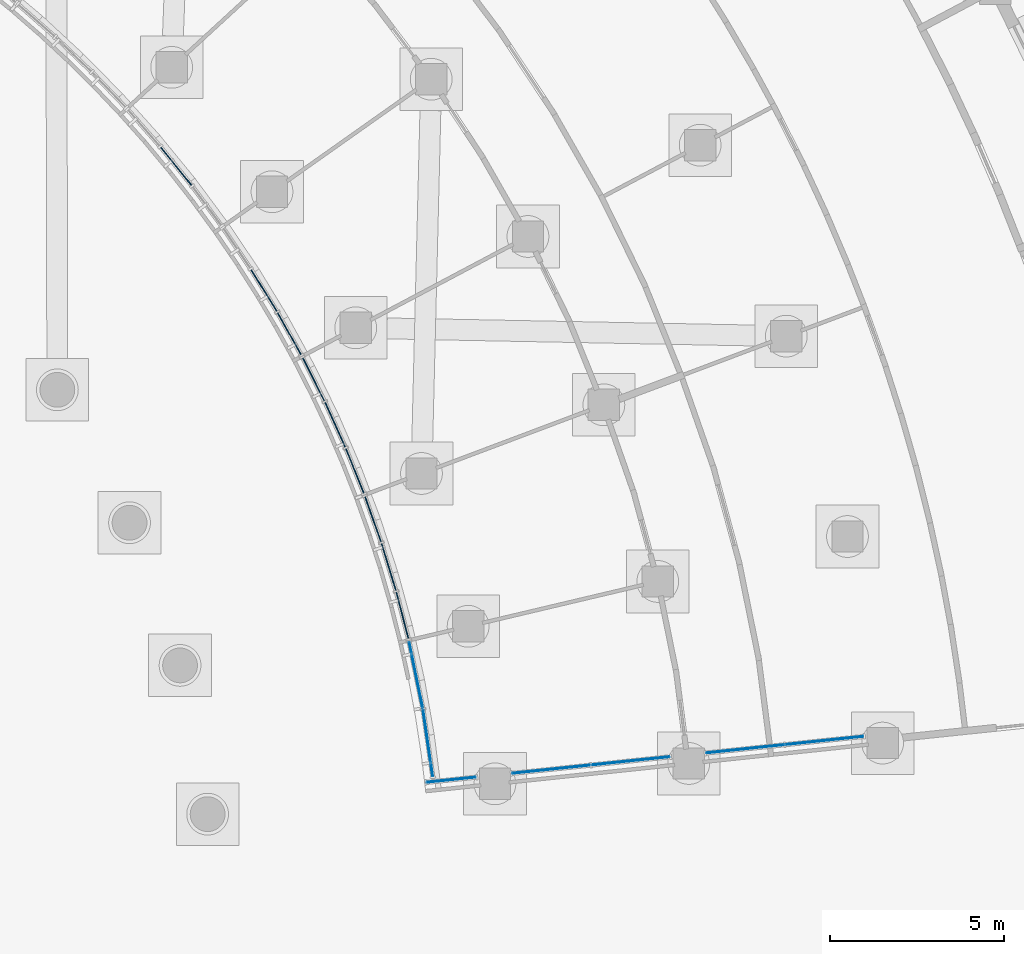
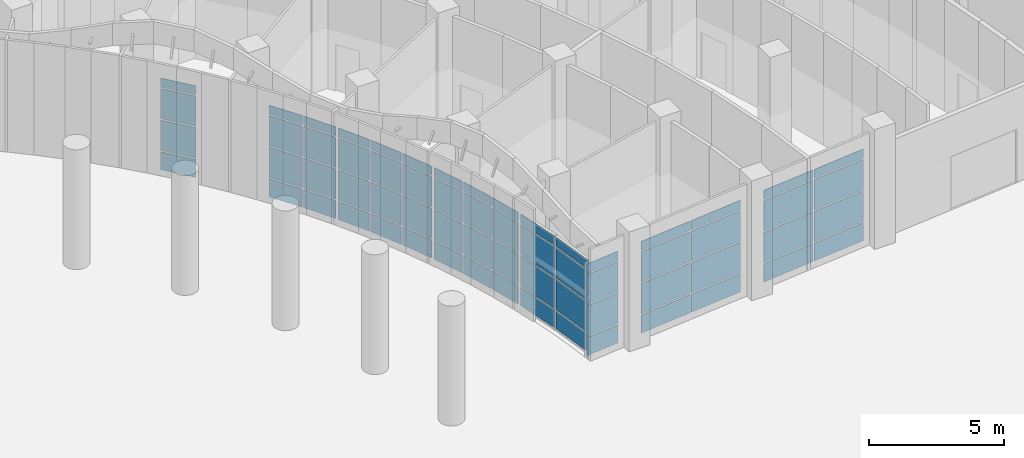
# One storey, part 48 of 146: 64 plates, 8 elements without a shape of their own.
"""IFC4 building model written with IfcOpenShell, lengths in metres."""

from ifc_helpers import new_model, si_unit, direction, frame, origin, origin_2d, place, context, subcontext, project, spatial, rectangle, extrude, material, layer, layer_set, type_object, element, aggregate, save


model = new_model("IFC4")

# Units and contexts
model_context = context("Model", 3, precision=1e-05, world=origin(), true_north=direction((0.0, 1.0)))
body_context = subcontext(model_context, "Body", "Model", "MODEL_VIEW")
ifc_project = project(units=[si_unit("LENGTHUNIT", "METRE"), si_unit("AREAUNIT", "SQUARE_METRE"), si_unit("VOLUMEUNIT", "CUBIC_METRE"), si_unit("PLANEANGLEUNIT", "RADIAN"), si_unit("MASSUNIT", "GRAM", prefix="KILO")], contexts=[model_context])

# Site, building, storey
site_placement = place(None, origin())
site = spatial("IfcSite", under=ifc_project, at=site_placement, CompositionType="ELEMENT")
building_placement = place(site_placement, origin())
building = spatial("IfcBuilding", under=site, at=building_placement, Name="Bougainvillea Quay General Hospital", CompositionType="ELEMENT")
storey_placement = place(building_placement, origin())
storey = spatial("IfcBuildingStorey", under=building, at=storey_placement, Name="L00", CompositionType="ELEMENT", Elevation=0.0)

# Curtain wall, plates
ifc_material_1 = material(Name="Aluminium curtain wall system, powder-coated glazed", Category="aluminium")
curtain_wall_type_1 = type_object("IfcCurtainWallType", Name="Unitised curtain wall CW-2100", PredefinedType="NOTDEFINED", material=ifc_material_1)
curtain_wall_1_placement = place(storey_placement, origin())
curtain_wall_1 = element("IfcCurtainWall", 1, at=curtain_wall_1_placement, inside=storey, type_object=curtain_wall_type_1, Name="CW-E04 a21b3", PredefinedType="NOTDEFINED")
ifc_material_2 = material(Name="Insulated aluminium spandrel panel, white", Category="aluminium")
ifc_layer_1 = layer(ifc_material_2, 0.028076171875)
ifc_layer_set_1 = layer_set([ifc_layer_1], Name="Insulated aluminium spandrel panel, white")
plate_type_1 = type_object("IfcPlateType", Name="Insulated spandrel panel white 28", PredefinedType="CURTAIN_PANEL", material=ifc_layer_set_1)
plate_1_placement = place(storey_placement, frame((135.845703125, 43.506591796875, 0.06005859375), z_axis=(0.0, 0.0, 1.0), x_axis=(0.62807171477, -0.778155460757, 0.0)))
plate_1 = element("IfcPlate", 2, at=plate_1_placement, type_object=plate_type_1, Name="CW-E04 spandrel panel 2.1", PredefinedType="CURTAIN_PANEL", context=body_context, shape_type="SweptSolid", body=[
    extrude(rectangle(XDim=1.39697265625, YDim=0.028076171875, at=origin_2d()), origin(), (0.0, 0.0, 1.0), 0.81005859375),
])
plate_2_placement = place(storey_placement, frame((135.845703125, 43.506591796875, 3.7802734375), z_axis=(0.0, 0.0, 1.0), x_axis=(0.62807171477, -0.778155460757, 0.0)))
plate_2 = element("IfcPlate", 3, at=plate_2_placement, type_object=plate_type_1, Name="CW-E04 spandrel panel 2.4", PredefinedType="CURTAIN_PANEL", context=body_context, shape_type="SweptSolid", body=[
    extrude(rectangle(XDim=1.39697265625, YDim=0.028076171875, at=origin_2d()), origin(), (0.0, 0.0, 1.0), 0.409912109375),
])

curtain_wall_2_placement = place(storey_placement, origin())
curtain_wall_2 = element("IfcCurtainWall", 4, at=curtain_wall_2_placement, inside=storey, type_object=curtain_wall_type_1, Name="CW-E05 a21b4", PredefinedType="NOTDEFINED")
plate_3_placement = place(storey_placement, frame((138.3662109375, 39.9404296875, 0.06005859375), z_axis=(0.0, 0.0, 1.0), x_axis=(0.523926442936, -0.851763513185, 0.0)))
plate_3 = element("IfcPlate", 5, at=plate_3_placement, type_object=plate_type_1, Name="CW-E05 spandrel panel 2.1", PredefinedType="CURTAIN_PANEL", context=body_context, shape_type="SweptSolid", body=[
    extrude(rectangle(XDim=1.39697265625, YDim=0.028076171875, at=origin_2d()), origin(), (0.0, 0.0, 1.0), 0.81005859375),
])
plate_4_placement = place(storey_placement, frame((138.3662109375, 39.9404296875, 3.7802734375), z_axis=(0.0, 0.0, 1.0), x_axis=(0.523926442936, -0.851763513185, 0.0)))
plate_4 = element("IfcPlate", 6, at=plate_4_placement, type_object=plate_type_1, Name="CW-E05 spandrel panel 2.4", PredefinedType="CURTAIN_PANEL", context=body_context, shape_type="SweptSolid", body=[
    extrude(rectangle(XDim=1.39697265625, YDim=0.028076171875, at=origin_2d()), origin(), (0.0, 0.0, 1.0), 0.409912109375),
])
plate_5_placement = place(storey_placement, frame((139.095458984375, 38.697021484375, 0.06005859375), z_axis=(0.0, 0.0, 1.0), x_axis=(0.487229803858, -0.873273793396, 0.0)))
plate_5 = element("IfcPlate", 7, at=plate_5_placement, type_object=plate_type_1, Name="CW-E05 spandrel panel 3.1", PredefinedType="CURTAIN_PANEL", context=body_context, shape_type="SweptSolid", body=[
    extrude(rectangle(XDim=1.366943359375, YDim=0.028076171875, at=origin_2d()), origin(), (0.0, 0.0, 1.0), 0.81005859375),
])
plate_6_placement = place(storey_placement, frame((139.095458984375, 38.697021484375, 3.7802734375), z_axis=(0.0, 0.0, 1.0), x_axis=(0.487229803858, -0.873273793396, 0.0)))
plate_6 = element("IfcPlate", 8, at=plate_6_placement, type_object=plate_type_1, Name="CW-E05 spandrel panel 3.4", PredefinedType="CURTAIN_PANEL", context=body_context, shape_type="SweptSolid", body=[
    extrude(rectangle(XDim=1.366943359375, YDim=0.028076171875, at=origin_2d()), origin(), (0.0, 0.0, 1.0), 0.409912109375),
])

curtain_wall_3_placement = place(storey_placement, origin())
curtain_wall_3 = element("IfcCurtainWall", 9, at=curtain_wall_3_placement, inside=storey, type_object=curtain_wall_type_1, Name="CW-E06 a21b5", PredefinedType="NOTDEFINED")
plate_7_placement = place(storey_placement, frame((139.7919921875, 37.383544921875, 0.06005859375), z_axis=(0.0, 0.0, 1.0), x_axis=(0.449651602597, -0.893204028362, 0.0)))
plate_7 = element("IfcPlate", 10, at=plate_7_placement, type_object=plate_type_1, Name="CW-E06 spandrel panel 1.1", PredefinedType="CURTAIN_PANEL", context=body_context, shape_type="SweptSolid", body=[
    extrude(rectangle(XDim=1.366943359375, YDim=0.028076171875, at=origin_2d()), origin(), (0.0, 0.0, 1.0), 0.81005859375),
])
plate_8_placement = place(storey_placement, frame((139.7919921875, 37.383544921875, 3.7802734375), z_axis=(0.0, 0.0, 1.0), x_axis=(0.449651602597, -0.893204028362, 0.0)))
plate_8 = element("IfcPlate", 11, at=plate_8_placement, type_object=plate_type_1, Name="CW-E06 spandrel panel 1.4", PredefinedType="CURTAIN_PANEL", context=body_context, shape_type="SweptSolid", body=[
    extrude(rectangle(XDim=1.366943359375, YDim=0.028076171875, at=origin_2d()), origin(), (0.0, 0.0, 1.0), 0.409912109375),
])
plate_9_placement = place(storey_placement, frame((140.412353515625, 36.08251953125, 0.06005859375), z_axis=(0.0, 0.0, 1.0), x_axis=(0.411259830755, -0.911518157585, 0.0)))
plate_9 = element("IfcPlate", 12, at=plate_9_placement, type_object=plate_type_1, Name="CW-E06 spandrel panel 2.1", PredefinedType="CURTAIN_PANEL", context=body_context, shape_type="SweptSolid", body=[
    extrude(rectangle(XDim=1.39697265625, YDim=0.028076171875, at=origin_2d()), origin(), (0.0, 0.0, 1.0), 0.81005859375),
])
plate_10_placement = place(storey_placement, frame((140.412353515625, 36.08251953125, 3.7802734375), z_axis=(0.0, 0.0, 1.0), x_axis=(0.411259830755, -0.911518157585, 0.0)))
plate_10 = element("IfcPlate", 13, at=plate_10_placement, type_object=plate_type_1, Name="CW-E06 spandrel panel 2.4", PredefinedType="CURTAIN_PANEL", context=body_context, shape_type="SweptSolid", body=[
    extrude(rectangle(XDim=1.39697265625, YDim=0.028076171875, at=origin_2d()), origin(), (0.0, 0.0, 1.0), 0.409912109375),
])
plate_11_placement = place(storey_placement, frame((140.9775390625, 34.75634765625, 0.06005859375), z_axis=(0.0, 0.0, 1.0), x_axis=(0.372123951912, -0.92818304467, 0.0)))
plate_11 = element("IfcPlate", 14, at=plate_11_placement, type_object=plate_type_1, Name="CW-E06 spandrel panel 3.1", PredefinedType="CURTAIN_PANEL", context=body_context, shape_type="SweptSolid", body=[
    extrude(rectangle(XDim=1.366943359375, YDim=0.028076171875, at=origin_2d()), origin(), (0.0, 0.0, 1.0), 0.81005859375),
])
plate_12_placement = place(storey_placement, frame((140.9775390625, 34.75634765625, 3.7802734375), z_axis=(0.0, 0.0, 1.0), x_axis=(0.372123951912, -0.92818304467, 0.0)))
plate_12 = element("IfcPlate", 15, at=plate_12_placement, type_object=plate_type_1, Name="CW-E06 spandrel panel 3.4", PredefinedType="CURTAIN_PANEL", context=body_context, shape_type="SweptSolid", body=[
    extrude(rectangle(XDim=1.366943359375, YDim=0.028076171875, at=origin_2d()), origin(), (0.0, 0.0, 1.0), 0.409912109375),
])

curtain_wall_4_placement = place(storey_placement, origin())
curtain_wall_4 = element("IfcCurtainWall", 16, at=curtain_wall_4_placement, inside=storey, type_object=curtain_wall_type_1, Name="CW-E07 a21b6", PredefinedType="NOTDEFINED")
plate_13_placement = place(storey_placement, frame((141.501220703125, 33.364990234375, 0.06005859375), z_axis=(0.0, 0.0, 1.0), x_axis=(0.332314775986, -0.943168537252, 0.0)))
plate_13 = element("IfcPlate", 17, at=plate_13_placement, type_object=plate_type_1, Name="CW-E07 spandrel panel 1.1", PredefinedType="CURTAIN_PANEL", context=body_context, shape_type="SweptSolid", body=[
    extrude(rectangle(XDim=1.366943359375, YDim=0.028076171875, at=origin_2d()), origin(), (0.0, 0.0, 1.0), 0.81005859375),
])
plate_14_placement = place(storey_placement, frame((141.501220703125, 33.364990234375, 3.7802734375), z_axis=(0.0, 0.0, 1.0), x_axis=(0.332314775986, -0.943168537252, 0.0)))
plate_14 = element("IfcPlate", 18, at=plate_14_placement, type_object=plate_type_1, Name="CW-E07 spandrel panel 1.4", PredefinedType="CURTAIN_PANEL", context=body_context, shape_type="SweptSolid", body=[
    extrude(rectangle(XDim=1.366943359375, YDim=0.028076171875, at=origin_2d()), origin(), (0.0, 0.0, 1.0), 0.409912109375),
])
plate_15_placement = place(storey_placement, frame((141.950927734375, 31.995361328125, 0.06005859375), z_axis=(0.0, 0.0, 1.0), x_axis=(0.291904331163, -0.956447521534, 0.0)))
plate_15 = element("IfcPlate", 19, at=plate_15_placement, type_object=plate_type_1, Name="CW-E07 spandrel panel 2.1", PredefinedType="CURTAIN_PANEL", context=body_context, shape_type="SweptSolid", body=[
    extrude(rectangle(XDim=1.39697265625, YDim=0.028076171875, at=origin_2d()), origin(), (0.0, 0.0, 1.0), 0.81005859375),
])
plate_16_placement = place(storey_placement, frame((141.950927734375, 31.995361328125, 3.7802734375), z_axis=(0.0, 0.0, 1.0), x_axis=(0.291904331163, -0.956447521534, 0.0)))
plate_16 = element("IfcPlate", 20, at=plate_16_placement, type_object=plate_type_1, Name="CW-E07 spandrel panel 2.4", PredefinedType="CURTAIN_PANEL", context=body_context, shape_type="SweptSolid", body=[
    extrude(rectangle(XDim=1.39697265625, YDim=0.028076171875, at=origin_2d()), origin(), (0.0, 0.0, 1.0), 0.409912109375),
])
plate_17_placement = place(storey_placement, frame((142.342529296875, 30.608154296875, 0.06005859375), z_axis=(0.0, 0.0, 1.0), x_axis=(0.250965733479, -0.967995971386, 0.0)))
plate_17 = element("IfcPlate", 21, at=plate_17_placement, type_object=plate_type_1, Name="CW-E07 spandrel panel 3.1", PredefinedType="CURTAIN_PANEL", context=body_context, shape_type="SweptSolid", body=[
    extrude(rectangle(XDim=1.366943359375, YDim=0.028076171875, at=origin_2d()), origin(), (0.0, 0.0, 1.0), 0.81005859375),
])
plate_18_placement = place(storey_placement, frame((142.342529296875, 30.608154296875, 3.7802734375), z_axis=(0.0, 0.0, 1.0), x_axis=(0.250965733479, -0.967995971386, 0.0)))
plate_18 = element("IfcPlate", 22, at=plate_18_placement, type_object=plate_type_1, Name="CW-E07 spandrel panel 3.4", PredefinedType="CURTAIN_PANEL", context=body_context, shape_type="SweptSolid", body=[
    extrude(rectangle(XDim=1.366943359375, YDim=0.028076171875, at=origin_2d()), origin(), (0.0, 0.0, 1.0), 0.409912109375),
])

curtain_wall_5_placement = place(storey_placement, origin())
curtain_wall_5 = element("IfcCurtainWall", 23, at=curtain_wall_5_placement, inside=storey, type_object=curtain_wall_type_1, Name="CW-E08 a21b7", PredefinedType="NOTDEFINED")
plate_19_placement = place(storey_placement, frame((142.7353515625, 28.886962890625, 0.06005859375), z_axis=(0.0, 0.0, 1.0), x_axis=(0.201594935096, -0.979468979674, 0.0)))
plate_19 = element("IfcPlate", 24, at=plate_19_placement, type_object=plate_type_1, Name="CW-E08 spandrel panel 1.1", PredefinedType="CURTAIN_PANEL", context=body_context, shape_type="SweptSolid", body=[
    extrude(rectangle(XDim=1.925048828125, YDim=0.028076171875, at=origin_2d()), origin(), (0.0, 0.0, 1.0), 0.81005859375),
])
plate_20_placement = place(storey_placement, frame((142.7353515625, 28.886962890625, 3.7802734375), z_axis=(0.0, 0.0, 1.0), x_axis=(0.201594935096, -0.979468979674, 0.0)))
plate_20 = element("IfcPlate", 25, at=plate_20_placement, type_object=plate_type_1, Name="CW-E08 spandrel panel 1.4", PredefinedType="CURTAIN_PANEL", context=body_context, shape_type="SweptSolid", body=[
    extrude(rectangle(XDim=1.925048828125, YDim=0.028076171875, at=origin_2d()), origin(), (0.0, 0.0, 1.0), 0.409912109375),
])
plate_21_placement = place(storey_placement, frame((143.077880859375, 26.932373046875, 0.06005859375), z_axis=(0.0, 0.0, 1.0), x_axis=(0.143643342173, -0.989629521715, 0.0)))
plate_21 = element("IfcPlate", 26, at=plate_21_placement, type_object=plate_type_1, Name="CW-E08 spandrel panel 2.1", PredefinedType="CURTAIN_PANEL", context=body_context, shape_type="SweptSolid", body=[
    extrude(rectangle(XDim=1.925048828125, YDim=0.028076171875, at=origin_2d()), origin(), (0.0, 0.0, 1.0), 0.81005859375),
])
plate_22_placement = place(storey_placement, frame((143.077880859375, 26.932373046875, 3.7802734375), z_axis=(0.0, 0.0, 1.0), x_axis=(0.143643342173, -0.989629521715, 0.0)))
plate_22 = element("IfcPlate", 27, at=plate_22_placement, type_object=plate_type_1, Name="CW-E08 spandrel panel 2.4", PredefinedType="CURTAIN_PANEL", context=body_context, shape_type="SweptSolid", body=[
    extrude(rectangle(XDim=1.925048828125, YDim=0.028076171875, at=origin_2d()), origin(), (0.0, 0.0, 1.0), 0.409912109375),
])

curtain_wall_type_2 = type_object("IfcCurtainWallType", Name="Unitised curtain wall CW-1531", PredefinedType="NOTDEFINED", material=ifc_material_1)
curtain_wall_6_placement = place(storey_placement, origin())
curtain_wall_6 = element("IfcCurtainWall", 28, at=curtain_wall_6_placement, inside=storey, type_object=curtain_wall_type_2, Name="CW-AE 00", PredefinedType="NOTDEFINED")
plate_23_placement = place(storey_placement, frame((143.748779296875, 25.882568359375, 0.06005859375), z_axis=(0.0, 0.0, 1.0), x_axis=(0.9945220309, 0.104527173765, 0.0)))
plate_23 = element("IfcPlate", 29, at=plate_23_placement, type_object=plate_type_1, Name="CW-AE spandrel panel 1.1", PredefinedType="CURTAIN_PANEL", context=body_context, shape_type="SweptSolid", body=[
    extrude(rectangle(XDim=1.41015625, YDim=0.028076171875, at=origin_2d()), origin(), (0.0, 0.0, 1.0), 0.81005859375),
])
plate_24_placement = place(storey_placement, frame((143.748779296875, 25.882568359375, 3.7802734375), z_axis=(0.0, 0.0, 1.0), x_axis=(0.9945220309, 0.104527173765, 0.0)))
plate_24 = element("IfcPlate", 30, at=plate_24_placement, type_object=plate_type_1, Name="CW-AE spandrel panel 1.4", PredefinedType="CURTAIN_PANEL", context=body_context, shape_type="SweptSolid", body=[
    extrude(rectangle(XDim=1.41015625, YDim=0.028076171875, at=origin_2d()), origin(), (0.0, 0.0, 1.0), 0.409912109375),
])

curtain_wall_type_3 = type_object("IfcCurtainWallType", Name="Unitised curtain wall CW-2330", PredefinedType="NOTDEFINED", material=ifc_material_1)
curtain_wall_7_placement = place(storey_placement, origin())
curtain_wall_7 = element("IfcCurtainWall", 31, at=curtain_wall_7_placement, inside=storey, type_object=curtain_wall_type_3, Name="CW-AE 01", PredefinedType="NOTDEFINED")
plate_25_placement = place(storey_placement, frame((146.6181640625, 26.18408203125, 0.06005859375), z_axis=(0.0, 0.0, 1.0), x_axis=(0.9945220309, 0.104527173765, 0.0)))
plate_25 = element("IfcPlate", 32, at=plate_25_placement, type_object=plate_type_1, Name="CW-AE spandrel panel 1.1", PredefinedType="CURTAIN_PANEL", context=body_context, shape_type="SweptSolid", body=[
    extrude(rectangle(XDim=2.23974609375, YDim=0.028076171875, at=origin_2d()), origin(), (0.0, 0.0, 1.0), 0.81005859375),
])
plate_26_placement = place(storey_placement, frame((146.6181640625, 26.18408203125, 3.7802734375), z_axis=(0.0, 0.0, 1.0), x_axis=(0.9945220309, 0.104527173765, 0.0)))
plate_26 = element("IfcPlate", 33, at=plate_26_placement, type_object=plate_type_1, Name="CW-AE spandrel panel 1.4", PredefinedType="CURTAIN_PANEL", context=body_context, shape_type="SweptSolid", body=[
    extrude(rectangle(XDim=2.23974609375, YDim=0.028076171875, at=origin_2d()), origin(), (0.0, 0.0, 1.0), 0.409912109375),
])
plate_27_placement = place(storey_placement, frame((148.9052734375, 26.424560546875, 0.06005859375), z_axis=(0.0, 0.0, 1.0), x_axis=(0.9945220309, 0.104527173765, 0.0)))
plate_27 = element("IfcPlate", 34, at=plate_27_placement, type_object=plate_type_1, Name="CW-AE spandrel panel 2.1", PredefinedType="CURTAIN_PANEL", context=body_context, shape_type="SweptSolid", body=[
    extrude(rectangle(XDim=2.23974609375, YDim=0.028076171875, at=origin_2d()), origin(), (0.0, 0.0, 1.0), 0.81005859375),
])
plate_28_placement = place(storey_placement, frame((148.9052734375, 26.424560546875, 3.7802734375), z_axis=(0.0, 0.0, 1.0), x_axis=(0.9945220309, 0.104527173765, 0.0)))
plate_28 = element("IfcPlate", 35, at=plate_28_placement, type_object=plate_type_1, Name="CW-AE spandrel panel 2.4", PredefinedType="CURTAIN_PANEL", context=body_context, shape_type="SweptSolid", body=[
    extrude(rectangle(XDim=2.23974609375, YDim=0.028076171875, at=origin_2d()), origin(), (0.0, 0.0, 1.0), 0.409912109375),
])

curtain_wall_8_placement = place(storey_placement, origin())
curtain_wall_8 = element("IfcCurtainWall", 36, at=curtain_wall_8_placement, inside=storey, type_object=curtain_wall_type_3, Name="CW-AE 02", PredefinedType="NOTDEFINED")
plate_29_placement = place(storey_placement, frame((152.18701171875, 26.76953125, 0.06005859375), z_axis=(0.0, 0.0, 1.0), x_axis=(0.9945220309, 0.104527173765, 0.0)))
plate_29 = element("IfcPlate", 37, at=plate_29_placement, type_object=plate_type_1, Name="CW-AE spandrel panel 1.1", PredefinedType="CURTAIN_PANEL", context=body_context, shape_type="SweptSolid", body=[
    extrude(rectangle(XDim=2.239990234375, YDim=0.028076171875, at=origin_2d()), origin(), (0.0, 0.0, 1.0), 0.81005859375),
])
plate_30_placement = place(storey_placement, frame((152.18701171875, 26.76953125, 3.7802734375), z_axis=(0.0, 0.0, 1.0), x_axis=(0.9945220309, 0.104527173765, 0.0)))
plate_30 = element("IfcPlate", 38, at=plate_30_placement, type_object=plate_type_1, Name="CW-AE spandrel panel 1.4", PredefinedType="CURTAIN_PANEL", context=body_context, shape_type="SweptSolid", body=[
    extrude(rectangle(XDim=2.239990234375, YDim=0.028076171875, at=origin_2d()), origin(), (0.0, 0.0, 1.0), 0.409912109375),
])
plate_31_placement = place(storey_placement, frame((154.474365234375, 27.010009765625, 0.06005859375), z_axis=(0.0, 0.0, 1.0), x_axis=(0.9945220309, 0.104527173765, 0.0)))
plate_31 = element("IfcPlate", 39, at=plate_31_placement, type_object=plate_type_1, Name="CW-AE spandrel panel 2.1", PredefinedType="CURTAIN_PANEL", context=body_context, shape_type="SweptSolid", body=[
    extrude(rectangle(XDim=2.239990234375, YDim=0.028076171875, at=origin_2d()), origin(), (0.0, 0.0, 1.0), 0.81005859375),
])
plate_32_placement = place(storey_placement, frame((154.474365234375, 27.010009765625, 3.7802734375), z_axis=(0.0, 0.0, 1.0), x_axis=(0.9945220309, 0.104527173765, 0.0)))
plate_32 = element("IfcPlate", 40, at=plate_32_placement, type_object=plate_type_1, Name="CW-AE spandrel panel 2.4", PredefinedType="CURTAIN_PANEL", context=body_context, shape_type="SweptSolid", body=[
    extrude(rectangle(XDim=2.239990234375, YDim=0.028076171875, at=origin_2d()), origin(), (0.0, 0.0, 1.0), 0.409912109375),
])

# Plate
ifc_material_3 = material(Name="Low-e laminated glass, solar control", Category="glass")
ifc_layer_2 = layer(ifc_material_3, 0.028076171875)
ifc_layer_set_2 = layer_set([ifc_layer_2], Name="Low-e laminated glass, solar control")
plate_type_2 = type_object("IfcPlateType", Name="Low-e laminated vision glass 28", PredefinedType="CURTAIN_PANEL", material=ifc_layer_set_2)
plate_33_placement = place(storey_placement, frame((135.845703125, 43.506591796875, 0.93017578125), z_axis=(0.0, 0.0, 1.0), x_axis=(0.62807171477, -0.778155460757, 0.0)))
plate_33 = element("IfcPlate", 41, at=plate_33_placement, type_object=plate_type_2, Name="CW-E04 vision glass panel 2.2", PredefinedType="CURTAIN_PANEL", context=body_context, shape_type="SweptSolid", body=[
    extrude(rectangle(XDim=1.39697265625, YDim=0.028076171875, at=origin_2d()), origin(), (0.0, 0.0, 1.0), 1.364990234375),
])

plate_34_placement = place(storey_placement, frame((135.845703125, 43.506591796875, 2.35498046875), z_axis=(0.0, 0.0, 1.0), x_axis=(0.62807171477, -0.778155460757, 0.0)))
plate_34 = element("IfcPlate", 42, at=plate_34_placement, type_object=plate_type_2, Name="CW-E04 vision glass panel 2.3", PredefinedType="CURTAIN_PANEL", context=body_context, shape_type="SweptSolid", body=[
    extrude(rectangle(XDim=1.39697265625, YDim=0.028076171875, at=origin_2d()), origin(), (0.0, 0.0, 1.0), 1.364990234375),
])

aggregate(curtain_wall_1, [plate_1, plate_33, plate_34, plate_2])

plate_35_placement = place(storey_placement, frame((138.3662109375, 39.9404296875, 0.93017578125), z_axis=(0.0, 0.0, 1.0), x_axis=(0.523926442936, -0.851763513185, 0.0)))
plate_35 = element("IfcPlate", 43, at=plate_35_placement, type_object=plate_type_2, Name="CW-E05 vision glass panel 2.2", PredefinedType="CURTAIN_PANEL", context=body_context, shape_type="SweptSolid", body=[
    extrude(rectangle(XDim=1.39697265625, YDim=0.028076171875, at=origin_2d()), origin(), (0.0, 0.0, 1.0), 1.364990234375),
])

plate_36_placement = place(storey_placement, frame((138.3662109375, 39.9404296875, 2.35498046875), z_axis=(0.0, 0.0, 1.0), x_axis=(0.523926442936, -0.851763513185, 0.0)))
plate_36 = element("IfcPlate", 44, at=plate_36_placement, type_object=plate_type_2, Name="CW-E05 vision glass panel 2.3", PredefinedType="CURTAIN_PANEL", context=body_context, shape_type="SweptSolid", body=[
    extrude(rectangle(XDim=1.39697265625, YDim=0.028076171875, at=origin_2d()), origin(), (0.0, 0.0, 1.0), 1.364990234375),
])

plate_37_placement = place(storey_placement, frame((139.095458984375, 38.697021484375, 0.93017578125), z_axis=(0.0, 0.0, 1.0), x_axis=(0.487229803858, -0.873273793396, 0.0)))
plate_37 = element("IfcPlate", 45, at=plate_37_placement, type_object=plate_type_2, Name="CW-E05 vision glass panel 3.2", PredefinedType="CURTAIN_PANEL", context=body_context, shape_type="SweptSolid", body=[
    extrude(rectangle(XDim=1.366943359375, YDim=0.028076171875, at=origin_2d()), origin(), (0.0, 0.0, 1.0), 1.364990234375),
])

plate_38_placement = place(storey_placement, frame((139.095458984375, 38.697021484375, 2.35498046875), z_axis=(0.0, 0.0, 1.0), x_axis=(0.487229803858, -0.873273793396, 0.0)))
plate_38 = element("IfcPlate", 46, at=plate_38_placement, type_object=plate_type_2, Name="CW-E05 vision glass panel 3.3", PredefinedType="CURTAIN_PANEL", context=body_context, shape_type="SweptSolid", body=[
    extrude(rectangle(XDim=1.366943359375, YDim=0.028076171875, at=origin_2d()), origin(), (0.0, 0.0, 1.0), 1.364990234375),
])

aggregate(curtain_wall_2, [plate_3, plate_35, plate_36, plate_4, plate_5, plate_37, plate_38, plate_6])

plate_39_placement = place(storey_placement, frame((139.7919921875, 37.383544921875, 0.93017578125), z_axis=(0.0, 0.0, 1.0), x_axis=(0.449651602597, -0.893204028362, 0.0)))
plate_39 = element("IfcPlate", 47, at=plate_39_placement, type_object=plate_type_2, Name="CW-E06 vision glass panel 1.2", PredefinedType="CURTAIN_PANEL", context=body_context, shape_type="SweptSolid", body=[
    extrude(rectangle(XDim=1.366943359375, YDim=0.028076171875, at=origin_2d()), origin(), (0.0, 0.0, 1.0), 1.364990234375),
])

plate_40_placement = place(storey_placement, frame((139.7919921875, 37.383544921875, 2.35498046875), z_axis=(0.0, 0.0, 1.0), x_axis=(0.449651602597, -0.893204028362, 0.0)))
plate_40 = element("IfcPlate", 48, at=plate_40_placement, type_object=plate_type_2, Name="CW-E06 vision glass panel 1.3", PredefinedType="CURTAIN_PANEL", context=body_context, shape_type="SweptSolid", body=[
    extrude(rectangle(XDim=1.366943359375, YDim=0.028076171875, at=origin_2d()), origin(), (0.0, 0.0, 1.0), 1.364990234375),
])

plate_41_placement = place(storey_placement, frame((140.412353515625, 36.08251953125, 0.93017578125), z_axis=(0.0, 0.0, 1.0), x_axis=(0.411259830755, -0.911518157585, 0.0)))
plate_41 = element("IfcPlate", 49, at=plate_41_placement, type_object=plate_type_2, Name="CW-E06 vision glass panel 2.2", PredefinedType="CURTAIN_PANEL", context=body_context, shape_type="SweptSolid", body=[
    extrude(rectangle(XDim=1.39697265625, YDim=0.028076171875, at=origin_2d()), origin(), (0.0, 0.0, 1.0), 1.364990234375),
])

plate_42_placement = place(storey_placement, frame((140.412353515625, 36.08251953125, 2.35498046875), z_axis=(0.0, 0.0, 1.0), x_axis=(0.411259830755, -0.911518157585, 0.0)))
plate_42 = element("IfcPlate", 50, at=plate_42_placement, type_object=plate_type_2, Name="CW-E06 vision glass panel 2.3", PredefinedType="CURTAIN_PANEL", context=body_context, shape_type="SweptSolid", body=[
    extrude(rectangle(XDim=1.39697265625, YDim=0.028076171875, at=origin_2d()), origin(), (0.0, 0.0, 1.0), 1.364990234375),
])

plate_43_placement = place(storey_placement, frame((140.9775390625, 34.75634765625, 0.93017578125), z_axis=(0.0, 0.0, 1.0), x_axis=(0.372123951912, -0.92818304467, 0.0)))
plate_43 = element("IfcPlate", 51, at=plate_43_placement, type_object=plate_type_2, Name="CW-E06 vision glass panel 3.2", PredefinedType="CURTAIN_PANEL", context=body_context, shape_type="SweptSolid", body=[
    extrude(rectangle(XDim=1.366943359375, YDim=0.028076171875, at=origin_2d()), origin(), (0.0, 0.0, 1.0), 1.364990234375),
])

plate_44_placement = place(storey_placement, frame((140.9775390625, 34.75634765625, 2.35498046875), z_axis=(0.0, 0.0, 1.0), x_axis=(0.372123951912, -0.92818304467, 0.0)))
plate_44 = element("IfcPlate", 52, at=plate_44_placement, type_object=plate_type_2, Name="CW-E06 vision glass panel 3.3", PredefinedType="CURTAIN_PANEL", context=body_context, shape_type="SweptSolid", body=[
    extrude(rectangle(XDim=1.366943359375, YDim=0.028076171875, at=origin_2d()), origin(), (0.0, 0.0, 1.0), 1.364990234375),
])

aggregate(curtain_wall_3, [plate_7, plate_39, plate_40, plate_8, plate_9, plate_41, plate_42, plate_10, plate_11, plate_43, plate_44, plate_12])

plate_45_placement = place(storey_placement, frame((141.501220703125, 33.364990234375, 0.93017578125), z_axis=(0.0, 0.0, 1.0), x_axis=(0.332314775986, -0.943168537252, 0.0)))
plate_45 = element("IfcPlate", 53, at=plate_45_placement, type_object=plate_type_2, Name="CW-E07 vision glass panel 1.2", PredefinedType="CURTAIN_PANEL", context=body_context, shape_type="SweptSolid", body=[
    extrude(rectangle(XDim=1.366943359375, YDim=0.028076171875, at=origin_2d()), origin(), (0.0, 0.0, 1.0), 1.364990234375),
])

plate_46_placement = place(storey_placement, frame((141.501220703125, 33.364990234375, 2.35498046875), z_axis=(0.0, 0.0, 1.0), x_axis=(0.332314775986, -0.943168537252, 0.0)))
plate_46 = element("IfcPlate", 54, at=plate_46_placement, type_object=plate_type_2, Name="CW-E07 vision glass panel 1.3", PredefinedType="CURTAIN_PANEL", context=body_context, shape_type="SweptSolid", body=[
    extrude(rectangle(XDim=1.366943359375, YDim=0.028076171875, at=origin_2d()), origin(), (0.0, 0.0, 1.0), 1.364990234375),
])

plate_47_placement = place(storey_placement, frame((141.950927734375, 31.995361328125, 0.93017578125), z_axis=(0.0, 0.0, 1.0), x_axis=(0.291904331163, -0.956447521534, 0.0)))
plate_47 = element("IfcPlate", 55, at=plate_47_placement, type_object=plate_type_2, Name="CW-E07 vision glass panel 2.2", PredefinedType="CURTAIN_PANEL", context=body_context, shape_type="SweptSolid", body=[
    extrude(rectangle(XDim=1.39697265625, YDim=0.028076171875, at=origin_2d()), origin(), (0.0, 0.0, 1.0), 1.364990234375),
])

plate_48_placement = place(storey_placement, frame((141.950927734375, 31.995361328125, 2.35498046875), z_axis=(0.0, 0.0, 1.0), x_axis=(0.291904331163, -0.956447521534, 0.0)))
plate_48 = element("IfcPlate", 56, at=plate_48_placement, type_object=plate_type_2, Name="CW-E07 vision glass panel 2.3", PredefinedType="CURTAIN_PANEL", context=body_context, shape_type="SweptSolid", body=[
    extrude(rectangle(XDim=1.39697265625, YDim=0.028076171875, at=origin_2d()), origin(), (0.0, 0.0, 1.0), 1.364990234375),
])

plate_49_placement = place(storey_placement, frame((142.342529296875, 30.608154296875, 0.93017578125), z_axis=(0.0, 0.0, 1.0), x_axis=(0.250965733479, -0.967995971386, 0.0)))
plate_49 = element("IfcPlate", 57, at=plate_49_placement, type_object=plate_type_2, Name="CW-E07 vision glass panel 3.2", PredefinedType="CURTAIN_PANEL", context=body_context, shape_type="SweptSolid", body=[
    extrude(rectangle(XDim=1.366943359375, YDim=0.028076171875, at=origin_2d()), origin(), (0.0, 0.0, 1.0), 1.364990234375),
])

plate_50_placement = place(storey_placement, frame((142.342529296875, 30.608154296875, 2.35498046875), z_axis=(0.0, 0.0, 1.0), x_axis=(0.250965733479, -0.967995971386, 0.0)))
plate_50 = element("IfcPlate", 58, at=plate_50_placement, type_object=plate_type_2, Name="CW-E07 vision glass panel 3.3", PredefinedType="CURTAIN_PANEL", context=body_context, shape_type="SweptSolid", body=[
    extrude(rectangle(XDim=1.366943359375, YDim=0.028076171875, at=origin_2d()), origin(), (0.0, 0.0, 1.0), 1.364990234375),
])

aggregate(curtain_wall_4, [plate_13, plate_45, plate_46, plate_14, plate_15, plate_47, plate_48, plate_16, plate_17, plate_49, plate_50, plate_18])

plate_51_placement = place(storey_placement, frame((142.7353515625, 28.886962890625, 0.93017578125), z_axis=(0.0, 0.0, 1.0), x_axis=(0.201594935096, -0.979468979674, 0.0)))
plate_51 = element("IfcPlate", 59, at=plate_51_placement, type_object=plate_type_2, Name="CW-E08 vision glass panel 1.2", PredefinedType="CURTAIN_PANEL", context=body_context, shape_type="SweptSolid", body=[
    extrude(rectangle(XDim=1.925048828125, YDim=0.028076171875, at=origin_2d()), origin(), (0.0, 0.0, 1.0), 1.364990234375),
])

plate_52_placement = place(storey_placement, frame((142.7353515625, 28.886962890625, 2.35498046875), z_axis=(0.0, 0.0, 1.0), x_axis=(0.201594935096, -0.979468979674, 0.0)))
plate_52 = element("IfcPlate", 60, at=plate_52_placement, type_object=plate_type_2, Name="CW-E08 vision glass panel 1.3", PredefinedType="CURTAIN_PANEL", context=body_context, shape_type="SweptSolid", body=[
    extrude(rectangle(XDim=1.925048828125, YDim=0.028076171875, at=origin_2d()), origin(), (0.0, 0.0, 1.0), 1.364990234375),
])

plate_53_placement = place(storey_placement, frame((143.077880859375, 26.932373046875, 0.93017578125), z_axis=(0.0, 0.0, 1.0), x_axis=(0.143643342173, -0.989629521715, 0.0)))
plate_53 = element("IfcPlate", 61, at=plate_53_placement, type_object=plate_type_2, Name="CW-E08 vision glass panel 2.2", PredefinedType="CURTAIN_PANEL", context=body_context, shape_type="SweptSolid", body=[
    extrude(rectangle(XDim=1.925048828125, YDim=0.028076171875, at=origin_2d()), origin(), (0.0, 0.0, 1.0), 1.364990234375),
])

plate_54_placement = place(storey_placement, frame((143.077880859375, 26.932373046875, 2.35498046875), z_axis=(0.0, 0.0, 1.0), x_axis=(0.143643342173, -0.989629521715, 0.0)))
plate_54 = element("IfcPlate", 62, at=plate_54_placement, type_object=plate_type_2, Name="CW-E08 vision glass panel 2.3", PredefinedType="CURTAIN_PANEL", context=body_context, shape_type="SweptSolid", body=[
    extrude(rectangle(XDim=1.925048828125, YDim=0.028076171875, at=origin_2d()), origin(), (0.0, 0.0, 1.0), 1.364990234375),
])

aggregate(curtain_wall_5, [plate_19, plate_51, plate_52, plate_20, plate_21, plate_53, plate_54, plate_22])

plate_55_placement = place(storey_placement, frame((143.748779296875, 25.882568359375, 0.93017578125), z_axis=(0.0, 0.0, 1.0), x_axis=(0.9945220309, 0.104527173765, 0.0)))
plate_55 = element("IfcPlate", 63, at=plate_55_placement, type_object=plate_type_2, Name="CW-AE vision glass panel 1.2", PredefinedType="CURTAIN_PANEL", context=body_context, shape_type="SweptSolid", body=[
    extrude(rectangle(XDim=1.41015625, YDim=0.028076171875, at=origin_2d()), origin(), (0.0, 0.0, 1.0), 1.364990234375),
])

plate_56_placement = place(storey_placement, frame((143.748779296875, 25.882568359375, 2.35498046875), z_axis=(0.0, 0.0, 1.0), x_axis=(0.9945220309, 0.104527173765, 0.0)))
plate_56 = element("IfcPlate", 64, at=plate_56_placement, type_object=plate_type_2, Name="CW-AE vision glass panel 1.3", PredefinedType="CURTAIN_PANEL", context=body_context, shape_type="SweptSolid", body=[
    extrude(rectangle(XDim=1.41015625, YDim=0.028076171875, at=origin_2d()), origin(), (0.0, 0.0, 1.0), 1.364990234375),
])

aggregate(curtain_wall_6, [plate_23, plate_55, plate_56, plate_24])

plate_57_placement = place(storey_placement, frame((146.6181640625, 26.18408203125, 0.93017578125), z_axis=(0.0, 0.0, 1.0), x_axis=(0.9945220309, 0.104527173765, 0.0)))
plate_57 = element("IfcPlate", 65, at=plate_57_placement, type_object=plate_type_2, Name="CW-AE vision glass panel 1.2", PredefinedType="CURTAIN_PANEL", context=body_context, shape_type="SweptSolid", body=[
    extrude(rectangle(XDim=2.23974609375, YDim=0.028076171875, at=origin_2d()), origin(), (0.0, 0.0, 1.0), 1.364990234375),
])

plate_58_placement = place(storey_placement, frame((146.6181640625, 26.18408203125, 2.35498046875), z_axis=(0.0, 0.0, 1.0), x_axis=(0.9945220309, 0.104527173765, 0.0)))
plate_58 = element("IfcPlate", 66, at=plate_58_placement, type_object=plate_type_2, Name="CW-AE vision glass panel 1.3", PredefinedType="CURTAIN_PANEL", context=body_context, shape_type="SweptSolid", body=[
    extrude(rectangle(XDim=2.23974609375, YDim=0.028076171875, at=origin_2d()), origin(), (0.0, 0.0, 1.0), 1.364990234375),
])

plate_59_placement = place(storey_placement, frame((148.9052734375, 26.424560546875, 0.93017578125), z_axis=(0.0, 0.0, 1.0), x_axis=(0.9945220309, 0.104527173765, 0.0)))
plate_59 = element("IfcPlate", 67, at=plate_59_placement, type_object=plate_type_2, Name="CW-AE vision glass panel 2.2", PredefinedType="CURTAIN_PANEL", context=body_context, shape_type="SweptSolid", body=[
    extrude(rectangle(XDim=2.23974609375, YDim=0.028076171875, at=origin_2d()), origin(), (0.0, 0.0, 1.0), 1.364990234375),
])

plate_60_placement = place(storey_placement, frame((148.9052734375, 26.424560546875, 2.35498046875), z_axis=(0.0, 0.0, 1.0), x_axis=(0.9945220309, 0.104527173765, 0.0)))
plate_60 = element("IfcPlate", 68, at=plate_60_placement, type_object=plate_type_2, Name="CW-AE vision glass panel 2.3", PredefinedType="CURTAIN_PANEL", context=body_context, shape_type="SweptSolid", body=[
    extrude(rectangle(XDim=2.23974609375, YDim=0.028076171875, at=origin_2d()), origin(), (0.0, 0.0, 1.0), 1.364990234375),
])

aggregate(curtain_wall_7, [plate_25, plate_57, plate_58, plate_26, plate_27, plate_59, plate_60, plate_28])

plate_61_placement = place(storey_placement, frame((152.18701171875, 26.76953125, 0.93017578125), z_axis=(0.0, 0.0, 1.0), x_axis=(0.9945220309, 0.104527173765, 0.0)))
plate_61 = element("IfcPlate", 69, at=plate_61_placement, type_object=plate_type_2, Name="CW-AE vision glass panel 1.2", PredefinedType="CURTAIN_PANEL", context=body_context, shape_type="SweptSolid", body=[
    extrude(rectangle(XDim=2.239990234375, YDim=0.028076171875, at=origin_2d()), origin(), (0.0, 0.0, 1.0), 1.364990234375),
])

plate_62_placement = place(storey_placement, frame((152.18701171875, 26.76953125, 2.35498046875), z_axis=(0.0, 0.0, 1.0), x_axis=(0.9945220309, 0.104527173765, 0.0)))
plate_62 = element("IfcPlate", 70, at=plate_62_placement, type_object=plate_type_2, Name="CW-AE vision glass panel 1.3", PredefinedType="CURTAIN_PANEL", context=body_context, shape_type="SweptSolid", body=[
    extrude(rectangle(XDim=2.239990234375, YDim=0.028076171875, at=origin_2d()), origin(), (0.0, 0.0, 1.0), 1.364990234375),
])

plate_63_placement = place(storey_placement, frame((154.474365234375, 27.010009765625, 0.93017578125), z_axis=(0.0, 0.0, 1.0), x_axis=(0.9945220309, 0.104527173765, 0.0)))
plate_63 = element("IfcPlate", 71, at=plate_63_placement, type_object=plate_type_2, Name="CW-AE vision glass panel 2.2", PredefinedType="CURTAIN_PANEL", context=body_context, shape_type="SweptSolid", body=[
    extrude(rectangle(XDim=2.239990234375, YDim=0.028076171875, at=origin_2d()), origin(), (0.0, 0.0, 1.0), 1.364990234375),
])

plate_64_placement = place(storey_placement, frame((154.474365234375, 27.010009765625, 2.35498046875), z_axis=(0.0, 0.0, 1.0), x_axis=(0.9945220309, 0.104527173765, 0.0)))
plate_64 = element("IfcPlate", 72, at=plate_64_placement, type_object=plate_type_2, Name="CW-AE vision glass panel 2.3", PredefinedType="CURTAIN_PANEL", context=body_context, shape_type="SweptSolid", body=[
    extrude(rectangle(XDim=2.239990234375, YDim=0.028076171875, at=origin_2d()), origin(), (0.0, 0.0, 1.0), 1.364990234375),
])

aggregate(curtain_wall_8, [plate_29, plate_61, plate_62, plate_30, plate_31, plate_63, plate_64, plate_32])

save(model, "model.ifc")
